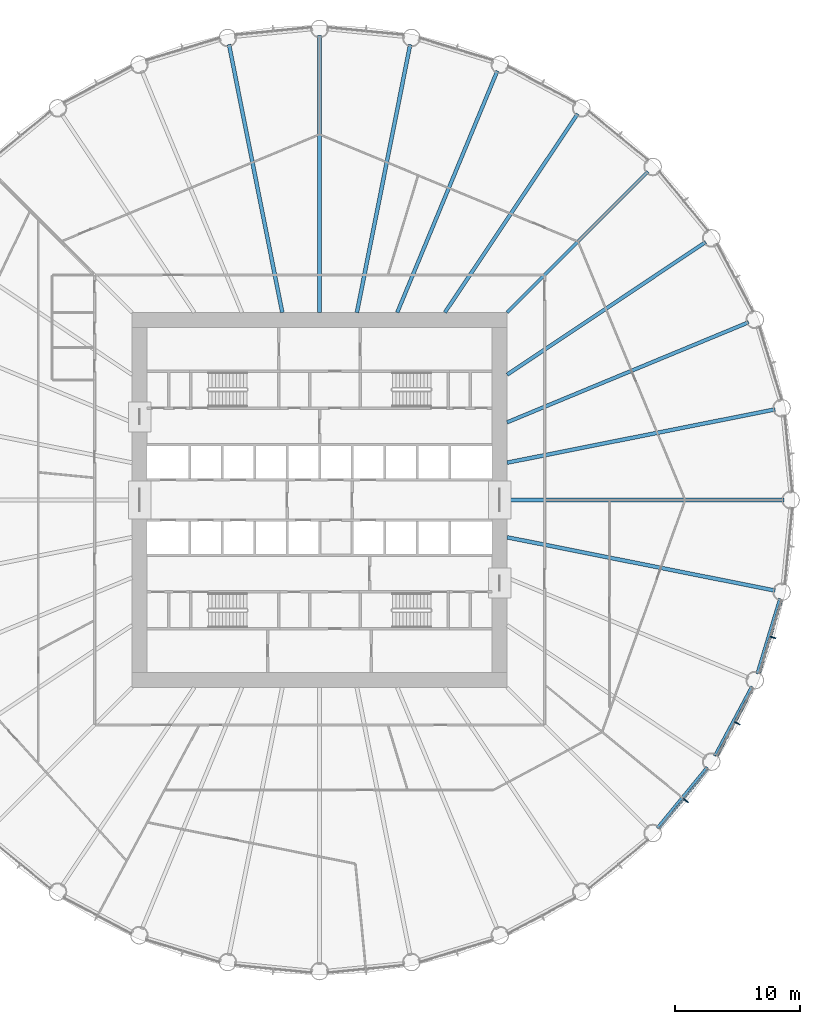
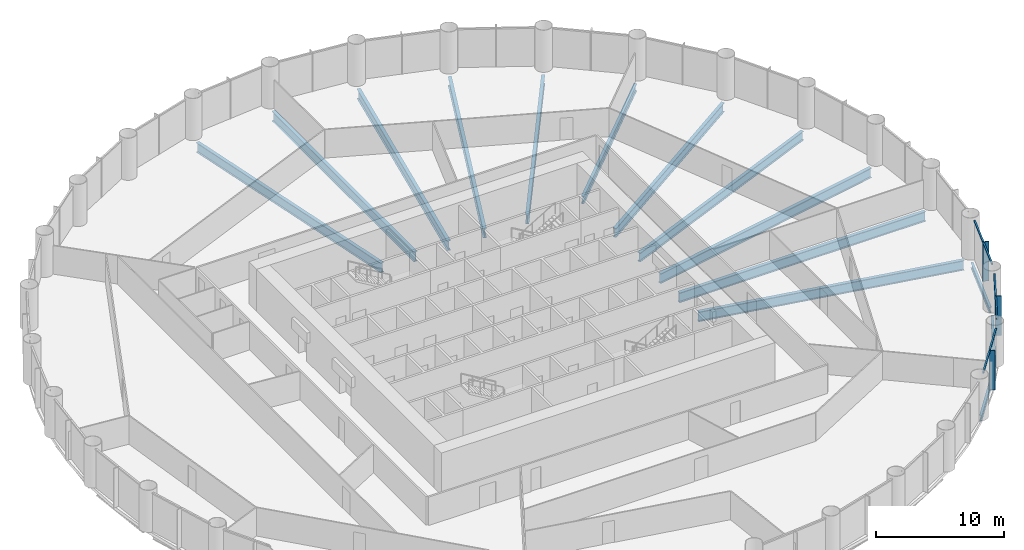
# One storey, part 5 of 15: 14 beams, 9 members, 3 elements without a shape of their own.
"""IFC4 building model written with IfcOpenShell, lengths in metres."""

from ifc_helpers import new_model, si_unit, direction, frame, origin, origin_2d, place, context, subcontext, project, spatial, rectangle, i_section, extrude, material, material_profile, profile_set, type_object, element, aggregate, save


model = new_model("IFC4")

# Units and contexts
model_context = context("Model", 3, precision=1e-05, world=origin(), true_north=direction((0.0, 1.0)))
body_context = subcontext(model_context, "Body", "Model", "MODEL_VIEW")
ifc_project = project(units=[si_unit("LENGTHUNIT", "METRE"), si_unit("AREAUNIT", "SQUARE_METRE"), si_unit("VOLUMEUNIT", "CUBIC_METRE"), si_unit("PLANEANGLEUNIT", "RADIAN"), si_unit("MASSUNIT", "GRAM", prefix="KILO")], contexts=[model_context])

# Site, building, storey
site_placement = place(None, origin())
site = spatial("IfcSite", under=ifc_project, at=site_placement, CompositionType="ELEMENT")
building_placement = place(site_placement, origin())
building = spatial("IfcBuilding", under=site, at=building_placement, Name="Corvane Civic Tower", CompositionType="ELEMENT")
storey_placement = place(building_placement, frame((0.0, 0.0, 57.0)))
storey = spatial("IfcBuildingStorey", under=building, at=storey_placement, Name="L12", CompositionType="ELEMENT", Elevation=57.0)

# Beams
ifc_material_1 = material(Name="Steel ASTM A992 Gr 50", Category="steel")
ifc_material_profile_1 = material_profile(ifc_material_1, i_section(OverallWidth=0.209228515625, OverallDepth=0.533447265625, WebThickness=0.01025390625, FlangeThickness=0.015625, at=origin_2d()), Name="W21X62")
ifc_profile_set_1 = profile_set([ifc_material_profile_1], Name="Steel ASTM A992 Gr 50")
beam_type_1 = type_object("IfcBeamType", Name="EDGE BEAM W21X62", PredefinedType="BEAM", material=ifc_profile_set_1)
for number, where, z_axis, x_axis, name in (
    (1, (36.81591796875, -7.88134765625, -0.566650390625), (-0.290273452184, -0.956943740748, 0.0), (0.956943740748, -0.290273452184, 0.0), "BM-L12-E10"),
    (2, (34.571044921875, -14.912353515625, -0.566650390625), (-0.471405897311, -0.881916367906, 0.0), (0.881916367906, -0.471405897311, 0.0), "BM-L12-E11"),
):
    element("IfcBeam", number, at=place(storey_placement, frame(where, z_axis=z_axis, x_axis=x_axis)), inside=storey, type_object=beam_type_1, Name=name, PredefinedType="BEAM", context=body_context, shape_type="SweptSolid", body=[
        extrude(i_section(OverallWidth=0.209228515625, OverallDepth=0.533447265625, WebThickness=0.01025390625, FlangeThickness=0.015625, at=origin_2d()), origin(), (0.0, 0.0, 1.0), 6.290283203125),
    ])
beam_1_placement = place(storey_placement, frame((30.99755859375, -21.3701171875, -0.566650390625), z_axis=(-0.634386787141, -0.773015785286, 0.0), x_axis=(0.773015785286, -0.634386787141, 0.0)))
element("IfcBeam", 3, at=beam_1_placement, inside=storey, type_object=beam_type_1, Name="BM-L12-E12", PredefinedType="BEAM", context=body_context, shape_type="SweptSolid", body=[
    extrude(i_section(OverallWidth=0.209228515625, OverallDepth=0.533447265625, WebThickness=0.01025390625, FlangeThickness=0.015625, at=origin_2d()), origin(), (0.0, 0.0, 1.0), 6.290771484375),
])
ifc_material_2 = material(Name="Steel ASTM A992 Gr 50", Category="steel")
ifc_material_profile_2 = material_profile(ifc_material_2, i_section(OverallWidth=0.256591796875, OverallDepth=0.693359375, WebThickness=0.014404296875, FlangeThickness=0.023681640625, at=origin_2d()), Name="W27X114")
ifc_profile_set_2 = profile_set([ifc_material_profile_2], Name="Steel ASTM A992 Gr 50")
beam_type_2 = type_object("IfcBeamType", Name="FLOOR GIRDER W27X114", PredefinedType="BEAM", material=ifc_profile_set_2)
beam_2_placement = place(storey_placement, frame((15.0, 15.0, -0.646728515625), z_axis=(0.707106781187, 0.707106781187, 0.0), x_axis=(-0.707106781187, 0.707106781187, 0.0)))
element("IfcBeam", 4, at=beam_2_placement, inside=storey, type_object=beam_type_2, Name="BM-L12-G05", PredefinedType="BEAM", context=body_context, shape_type="SweptSolid", body=[
    extrude(i_section(OverallWidth=0.256591796875, OverallDepth=0.693359375, WebThickness=0.014404296875, FlangeThickness=0.023681640625, at=origin_2d()), origin(), (0.0, 0.0, 1.0), 15.936767578125),
])
ifc_material_3 = material(Name="Steel ASTM A992 Gr 50", Category="steel")
ifc_material_profile_3 = material_profile(ifc_material_3, i_section(OverallWidth=0.2919921875, OverallDepth=0.8583984375, WebThickness=0.01708984375, FlangeThickness=0.031005859375, at=origin_2d()), Name="W33X169")
ifc_profile_set_3 = profile_set([ifc_material_profile_3], Name="Steel ASTM A992 Gr 50")
beam_type_3 = type_object("IfcBeamType", Name="FLOOR GIRDER W33X169", PredefinedType="BEAM", material=ifc_profile_set_3)
beam_3_placement = place(storey_placement, frame((6.213134765625, 15.0, -0.729248046875), z_axis=(0.382692360381, 0.923875834355, 0.0), x_axis=(-0.923875834355, 0.382692360381, 0.0)))
element("IfcBeam", 5, at=beam_3_placement, inside=storey, type_object=beam_type_3, Name="BM-L12-G03", PredefinedType="BEAM", context=body_context, shape_type="SweptSolid", body=[
    extrude(i_section(OverallWidth=0.2919921875, OverallDepth=0.8583984375, WebThickness=0.01708984375, FlangeThickness=0.031005859375, at=origin_2d()), origin(), (0.0, 0.0, 1.0), 20.9140625),
])
for number, where, z_axis, x_axis, name in (
    (6, (10.022705078125, 15.0, -0.729248046875), (0.555566681385, 0.831471985418, 0.0), (-0.831471985418, 0.555566681385, 0.0), "BM-L12-G04"),
    (7, (15.0, 10.022705078125, -0.729248046875), (0.831471985418, 0.555566681385, 0.0), (-0.555566681385, 0.831471985418, 0.0), "BM-L12-G06"),
):
    element("IfcBeam", number, at=place(storey_placement, frame(where, z_axis=z_axis, x_axis=x_axis)), inside=storey, type_object=beam_type_3, Name=name, PredefinedType="BEAM", context=body_context, shape_type="SweptSolid", body=[
        extrude(i_section(OverallWidth=0.2919921875, OverallDepth=0.8583984375, WebThickness=0.01708984375, FlangeThickness=0.031005859375, at=origin_2d()), origin(), (0.0, 0.0, 1.0), 19.109619140625),
    ])
beam_4_placement = place(storey_placement, frame((15.0, 6.213134765625, -0.729248046875), z_axis=(0.923875834355, 0.382692360381, 0.0), x_axis=(-0.382692360381, 0.923875834355, 0.0)))
element("IfcBeam", 8, at=beam_4_placement, inside=storey, type_object=beam_type_3, Name="BM-L12-G07", PredefinedType="BEAM", context=body_context, shape_type="SweptSolid", body=[
    extrude(i_section(OverallWidth=0.2919921875, OverallDepth=0.8583984375, WebThickness=0.01708984375, FlangeThickness=0.031005859375, at=origin_2d()), origin(), (0.0, 0.0, 1.0), 20.9140625),
])
ifc_material_4 = material(Name="Steel ASTM A992 Gr 50", Category="steel")
ifc_material_profile_4 = material_profile(ifc_material_4, i_section(OverallWidth=0.307373046875, OverallDepth=0.927001953125, WebThickness=0.01953125, FlangeThickness=0.031982421875, at=origin_2d()), Name="W36X194")
ifc_profile_set_4 = profile_set([ifc_material_profile_4], Name="Steel ASTM A992 Gr 50")
beam_type_4 = type_object("IfcBeamType", Name="FLOOR GIRDER W36X194", PredefinedType="BEAM", material=ifc_profile_set_4)
beam_5_placement = place(storey_placement, frame((0.0, 15.0, -0.763671875), z_axis=(0.0, 1.0, 0.0), x_axis=(-1.0, 0.0, 0.0)))
element("IfcBeam", 9, at=beam_5_placement, inside=storey, type_object=beam_type_4, Name="BM-L12-G01", PredefinedType="BEAM", context=body_context, shape_type="SweptSolid", body=[
    extrude(i_section(OverallWidth=0.307373046875, OverallDepth=0.927001953125, WebThickness=0.01953125, FlangeThickness=0.031982421875, at=origin_2d()), origin(), (0.0, 0.0, 1.0), 22.14990234375),
])
for number, where, z_axis, x_axis, name in (
    (10, (2.983642578125, 15.0, -0.763671875), (0.195089219638, 0.980785499679, 0.0), (-0.980785499679, 0.195089219638, 0.0), "BM-L12-G02"),
    (11, (15.0, 2.983642578125, -0.763671875), (0.980785499679, 0.195089219638, 0.0), (-0.195089219638, 0.980785499679, 0.0), "BM-L12-G08"),
):
    element("IfcBeam", number, at=place(storey_placement, frame(where, z_axis=z_axis, x_axis=x_axis)), inside=storey, type_object=beam_type_4, Name=name, PredefinedType="BEAM", context=body_context, shape_type="SweptSolid", body=[
        extrude(i_section(OverallWidth=0.307373046875, OverallDepth=0.927001953125, WebThickness=0.01953125, FlangeThickness=0.031982421875, at=origin_2d()), origin(), (0.0, 0.0, 1.0), 21.856201171875),
    ])
beam_6_placement = place(storey_placement, frame((15.0, 0.0, -0.763671875), z_axis=(1.0, 0.0, 0.0), x_axis=(0.0, 1.0, 0.0)))
element("IfcBeam", 12, at=beam_6_placement, inside=storey, type_object=beam_type_4, Name="BM-L12-G09", PredefinedType="BEAM", context=body_context, shape_type="SweptSolid", body=[
    extrude(i_section(OverallWidth=0.307373046875, OverallDepth=0.927001953125, WebThickness=0.01953125, FlangeThickness=0.031982421875, at=origin_2d()), origin(), (0.0, 0.0, 1.0), 22.14990234375),
])
for number, where, z_axis, x_axis, name in (
    (13, (15.0, -2.983642578125, -0.763671875), (0.980785499679, -0.195089219638, 0.0), (0.195089219638, 0.980785499679, 0.0), "BM-L12-G10"),
    (14, (-2.983642578125, 15.0, -0.763671875), (-0.195089219638, 0.980785499679, 0.0), (-0.980785499679, -0.195089219638, 0.0), "BM-L12-G32"),
):
    element("IfcBeam", number, at=place(storey_placement, frame(where, z_axis=z_axis, x_axis=x_axis)), inside=storey, type_object=beam_type_4, Name=name, PredefinedType="BEAM", context=body_context, shape_type="SweptSolid", body=[
        extrude(i_section(OverallWidth=0.307373046875, OverallDepth=0.927001953125, WebThickness=0.01953125, FlangeThickness=0.031982421875, at=origin_2d()), origin(), (0.0, 0.0, 1.0), 21.856201171875),
    ])

# Curtain wall, members
ifc_material_5 = material(Name="Anodised aluminium bronze", Category="aluminium")
curtain_wall_type = type_object("IfcCurtainWallType", Name="TOWER CW-T1 STICK CURTAIN WALL", PredefinedType="NOTDEFINED", material=ifc_material_5)
curtain_wall_1_placement = place(storey_placement, origin())
curtain_wall_1 = element("IfcCurtainWall", 15, at=curtain_wall_1_placement, inside=storey, type_object=curtain_wall_type, Name="Curtain wall CW-T1 L12 bay 10", PredefinedType="NOTDEFINED")
ifc_material_6 = material(Name="Anodised aluminium bronze", Category="aluminium")
ifc_material_profile_5 = material_profile(ifc_material_6, rectangle(XDim=0.139892578125, YDim=0.1201171875, at=origin_2d()), Name="TOWER CW-T1 TRANSOM 140x120")
ifc_profile_set_5 = profile_set([ifc_material_profile_5], Name="Anodised aluminium bronze")
member_type_1 = type_object("IfcMemberType", Name="TOWER CW-T1 TRANSOM 140x120", PredefinedType="USERDEFINED", material=ifc_profile_set_5)
member_1_placement = place(storey_placement, frame((36.959228515625, -8.02587890625, 3.68994140625), z_axis=(-0.290279914268, -0.956941780555, 0.0), x_axis=(0.956941780555, -0.290279914268, 0.0)))
member_1 = element("IfcMember", 16, at=member_1_placement, type_object=member_type_1, Name="Transom CW-T1 L12 10.1", ObjectType="TRANSOM", PredefinedType="USERDEFINED", context=body_context, shape_type="SweptSolid", body=[
    extrude(rectangle(XDim=0.139892578125, YDim=0.1201171875, at=origin_2d()), origin(), (0.0, 0.0, 1.0), 3.008544921875),
])
member_2_placement = place(storey_placement, frame((36.062744140625, -10.9814453125, 3.68994140625), z_axis=(-0.290279914268, -0.956941780555, 0.0), x_axis=(0.956941780555, -0.290279914268, 0.0)))
member_2 = element("IfcMember", 17, at=member_2_placement, type_object=member_type_1, Name="Transom CW-T1 L12 10.2", ObjectType="TRANSOM", PredefinedType="USERDEFINED", context=body_context, shape_type="SweptSolid", body=[
    extrude(rectangle(XDim=0.139892578125, YDim=0.1201171875, at=origin_2d()), origin(), (0.0, 0.0, 1.0), 3.008544921875),
])

curtain_wall_2_placement = place(storey_placement, origin())
curtain_wall_2 = element("IfcCurtainWall", 18, at=curtain_wall_2_placement, inside=storey, type_object=curtain_wall_type, Name="Curtain wall CW-T1 L12 bay 11", PredefinedType="NOTDEFINED")
member_3_placement = place(storey_placement, frame((34.683349609375, -15.08203125, 3.68994140625), z_axis=(-0.471392506424, -0.881923525532, 0.0), x_axis=(0.881923525532, -0.471392506424, 0.0)))
member_3 = element("IfcMember", 19, at=member_3_placement, type_object=member_type_1, Name="Transom CW-T1 L12 11.1", ObjectType="TRANSOM", PredefinedType="USERDEFINED", context=body_context, shape_type="SweptSolid", body=[
    extrude(rectangle(XDim=0.139892578125, YDim=0.1201171875, at=origin_2d()), origin(), (0.0, 0.0, 1.0), 3.008544921875),
])
member_4_placement = place(storey_placement, frame((33.2275390625, -17.805908203125, 3.68994140625), z_axis=(-0.471392506424, -0.881923525532, 0.0), x_axis=(0.881923525532, -0.471392506424, 0.0)))
member_4 = element("IfcMember", 20, at=member_4_placement, type_object=member_type_1, Name="Transom CW-T1 L12 11.2", ObjectType="TRANSOM", PredefinedType="USERDEFINED", context=body_context, shape_type="SweptSolid", body=[
    extrude(rectangle(XDim=0.139892578125, YDim=0.1201171875, at=origin_2d()), origin(), (0.0, 0.0, 1.0), 3.008544921875),
])

curtain_wall_3_placement = place(storey_placement, origin())
curtain_wall_3 = element("IfcCurtainWall", 21, at=curtain_wall_3_placement, inside=storey, type_object=curtain_wall_type, Name="Curtain wall CW-T1 L12 bay 12", PredefinedType="NOTDEFINED")
member_5_placement = place(storey_placement, frame((31.074462890625, -21.55859375, 3.68994140625), z_axis=(-0.634355161466, -0.773041738279, 0.0), x_axis=(0.773041738279, -0.634355161466, 0.0)))
member_5 = element("IfcMember", 22, at=member_5_placement, type_object=member_type_1, Name="Transom CW-T1 L12 12.1", ObjectType="TRANSOM", PredefinedType="USERDEFINED", context=body_context, shape_type="SweptSolid", body=[
    extrude(rectangle(XDim=0.139892578125, YDim=0.1201171875, at=origin_2d()), origin(), (0.0, 0.0, 1.0), 3.008544921875),
])
member_6_placement = place(storey_placement, frame((29.115234375, -23.946044921875, 3.68994140625), z_axis=(-0.634403652865, -0.773001943873, 0.0), x_axis=(0.773001943873, -0.634403652865, 0.0)))
member_6 = element("IfcMember", 23, at=member_6_placement, type_object=member_type_1, Name="Transom CW-T1 L12 12.2", ObjectType="TRANSOM", PredefinedType="USERDEFINED", context=body_context, shape_type="SweptSolid", body=[
    extrude(rectangle(XDim=0.139892578125, YDim=0.1201171875, at=origin_2d()), origin(), (0.0, 0.0, 1.0), 3.008544921875),
])

# Member
ifc_material_7 = material(Name="Anodised aluminium bronze", Category="aluminium")
ifc_material_profile_6 = material_profile(ifc_material_7, rectangle(XDim=0.080078125, YDim=0.5, at=origin_2d()), Name="TOWER FIN MULLION 80x500 BRONZE")
ifc_profile_set_6 = profile_set([ifc_material_profile_6], Name="Anodised aluminium bronze")
member_type_2 = type_object("IfcMemberType", Name="TOWER FIN MULLION 80x500 BRONZE", PredefinedType="MULLION", material=ifc_profile_set_6)
member_7_placement = place(storey_placement, frame((36.265625, -11.001220703125, 0.0), z_axis=(0.0, 0.0, 1.0), x_axis=(-0.290278397654, -0.956942240606, 0.0)))
member_7 = element("IfcMember", 24, at=member_7_placement, type_object=member_type_2, Name="Fin mullion 10 L12", PredefinedType="MULLION", context=body_context, shape_type="SweptSolid", body=[
    extrude(rectangle(XDim=0.080078125, YDim=0.5, at=origin_2d()), origin(), (0.0, 0.0, 1.0), 3.75),
])

aggregate(curtain_wall_1, [member_7, member_1, member_2])

member_8_placement = place(storey_placement, frame((33.422607421875, -17.86474609375, 0.0), z_axis=(0.0, 0.0, 1.0), x_axis=(-0.471403725359, -0.881917528864, 0.0)))
member_8 = element("IfcMember", 25, at=member_8_placement, type_object=member_type_2, Name="Fin mullion 11 L12", PredefinedType="MULLION", context=body_context, shape_type="SweptSolid", body=[
    extrude(rectangle(XDim=0.080078125, YDim=0.5, at=origin_2d()), origin(), (0.0, 0.0, 1.0), 3.75),
])

aggregate(curtain_wall_2, [member_8, member_3, member_4])

member_9_placement = place(storey_placement, frame((29.295166015625, -24.0419921875, 0.0), z_axis=(0.0, 0.0, 1.0), x_axis=(-0.634397218569, -0.773007224463, 0.0)))
member_9 = element("IfcMember", 26, at=member_9_placement, type_object=member_type_2, Name="Fin mullion 12 L12", PredefinedType="MULLION", context=body_context, shape_type="SweptSolid", body=[
    extrude(rectangle(XDim=0.080078125, YDim=0.5, at=origin_2d()), origin(), (0.0, 0.0, 1.0), 3.75),
])

aggregate(curtain_wall_3, [member_9, member_5, member_6])

save(model, "model.ifc")
